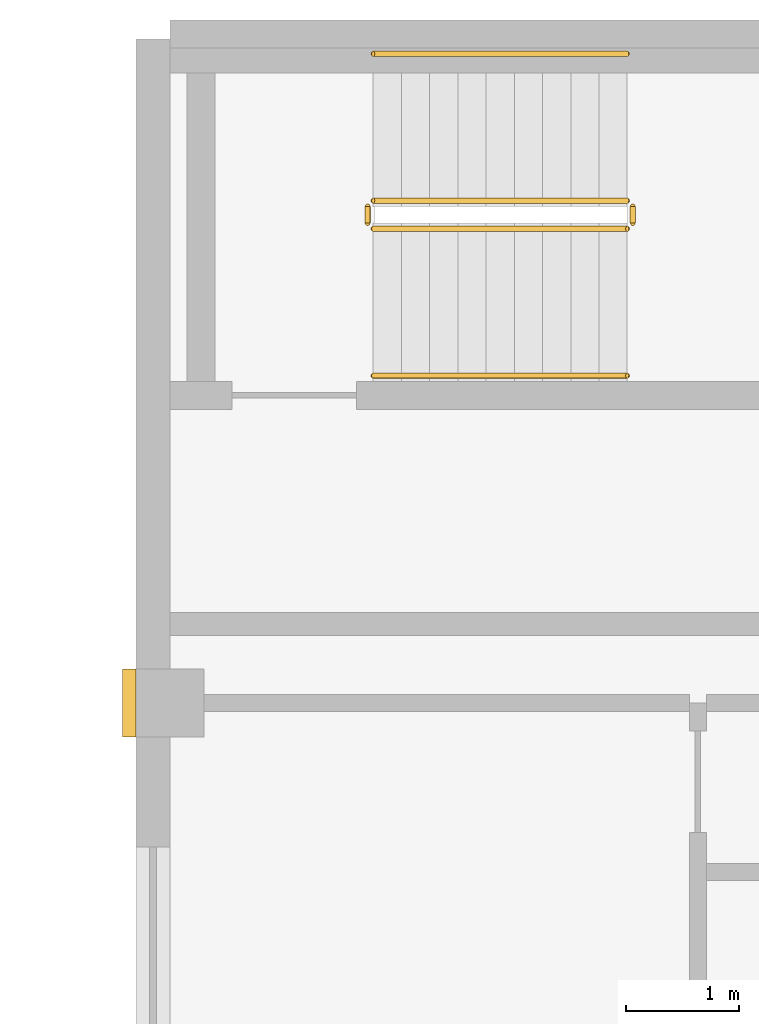
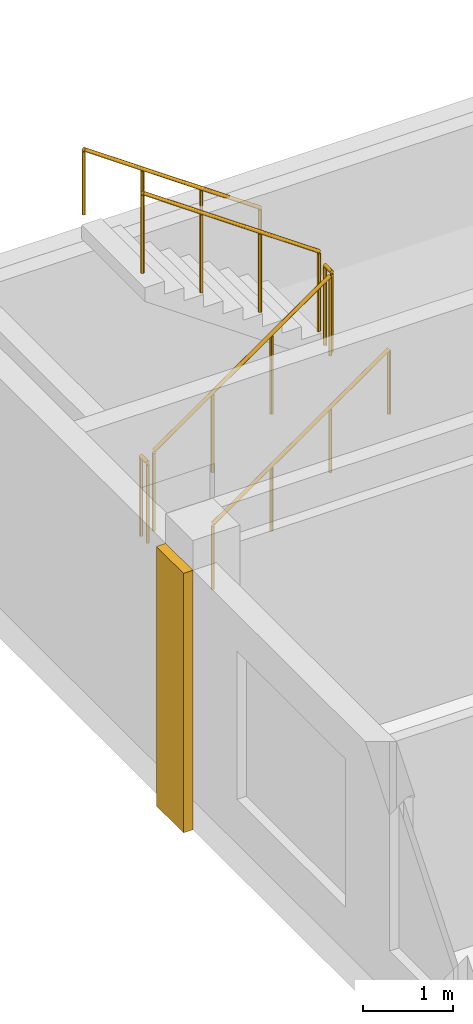
# One storey, part 10 of 10: 6 railings, 1 covering.
"""IFC4 building model written with IfcOpenShell, lengths in metres."""

import ifcopenshell
import ifcopenshell.guid

model = None  # the IFC model being written
_history = None  # IfcOwnerHistory: only IFC2X3 demands one
_inside = {}  # id of a spatial element -> (the spatial element, [elements in it])
_under = {}  # id of a project, library or spatial element -> (it, [spatial elements below it])
_declared = {}  # id of a project -> (the project, [libraries it declares])
_typed = {}  # id of a type object -> (the type object, [elements of that type])
_made_of = {}  # id of a material, layer set ... -> (it, [elements and type objects made of it])


def new_model(schema):
    """Start an empty IFC model of exactly this schema.

    Asked for "IFC4X3", IfcOpenShell would pick the latest addendum, in which some entities
    have other attributes; the version numbers below select the first issue.
    IFC2X3 requires an IfcOwnerHistory on every rooted entity: one is made here for all.
    """
    global model, _history
    if schema == "IFC4X3":
        model = ifcopenshell.file(schema_version=(4, 3, 0, 0))
    else:
        model = ifcopenshell.file(schema=schema)
    _inside.clear()
    _under.clear()
    _declared.clear()
    _typed.clear()
    _made_of.clear()
    _history = None
    if model.schema == "IFC2X3":
        org = make("IfcOrganization", Name="unknown")
        user = make(
            "IfcPersonAndOrganization",
            ThePerson=make("IfcPerson", FamilyName="unknown"),
            TheOrganization=org,
        )
        app = make(
            "IfcApplication",
            ApplicationDeveloper=org,
            Version="unknown",
            ApplicationFullName="unknown",
            ApplicationIdentifier="unknown",
        )
        _history = make(
            "IfcOwnerHistory",
            OwningUser=user,
            OwningApplication=app,
            ChangeAction="ADDED",
            CreationDate=0,
        )
    return model


def make(cls, **values):
    """One entity of the class cls with the attributes given. An attribute that is None is left unset."""
    return model.create_entity(
        cls, **{name: value for name, value in values.items() if value is not None}
    )


def rooted(cls, **values):
    """An entity with a GlobalId (a new one), such as an element, a storey or a relation."""
    return make(cls, GlobalId=ifcopenshell.guid.new(), OwnerHistory=_history, **values)


def si_unit(unit_type, name, prefix=None):
    """IfcSIUnit, for example si_unit("LENGTHUNIT", "METRE", prefix="MILLI")."""
    return make("IfcSIUnit", UnitType=unit_type, Prefix=prefix, Name=name)


def assignment(units):
    """IfcUnitAssignment: the units of a project."""
    return None if units is None else make("IfcUnitAssignment", Units=units)


def point(xyz):
    """IfcCartesianPoint."""
    return None if xyz is None else make("IfcCartesianPoint", Coordinates=xyz)


def direction(xyz):
    """IfcDirection."""
    return None if xyz is None else make("IfcDirection", DirectionRatios=xyz)


def frame(location, z_axis=None, x_axis=None):
    """IfcAxis2Placement3D, a coordinate frame: its origin and axes. An axis left out is left unset."""
    return make(
        "IfcAxis2Placement3D",
        Location=point(location),
        Axis=direction(z_axis),
        RefDirection=direction(x_axis),
    )


def frame_2d(location, x_axis=None):
    """IfcAxis2Placement2D, a coordinate frame in the plane: its origin and x axis."""
    return make(
        "IfcAxis2Placement2D", Location=point(location), RefDirection=direction(x_axis)
    )


def origin():
    """The frame at (0, 0, 0) with its axes left unset."""
    return frame((0.0, 0.0, 0.0))


def origin_2d():
    """The frame at (0, 0) in the plane with its x axis left unset."""
    return frame_2d((0.0, 0.0))


def place(relative_to, where):
    """IfcLocalPlacement: puts the frame where relative to a parent placement (None: the world)."""
    return make(
        "IfcLocalPlacement", PlacementRelTo=relative_to, RelativePlacement=where
    )


def context(
    kind, dimensions, precision=None, world=None, true_north=None, identifier=None
):
    """IfcGeometricRepresentationContext, for example the 3D "Model" context."""
    return make(
        "IfcGeometricRepresentationContext",
        ContextIdentifier=identifier,
        ContextType=kind,
        CoordinateSpaceDimension=dimensions,
        Precision=precision,
        WorldCoordinateSystem=world,
        TrueNorth=true_north,
    )


def subcontext(parent, identifier, kind, view, scale=None):
    """IfcGeometricRepresentationSubContext, for example "Body" below "Model"."""
    return make(
        "IfcGeometricRepresentationSubContext",
        ContextIdentifier=identifier,
        ContextType=kind,
        ParentContext=parent,
        TargetScale=scale,
        TargetView=view,
    )


def project(units=None, contexts=None):
    """IfcProject with its units and contexts."""
    return rooted(
        "IfcProject",
        Name="project",
        RepresentationContexts=contexts,
        UnitsInContext=assignment(units),
    )


def spatial(cls, under=None, at=None, **own):
    """A site, building, storey or space (cls), placed at a placement, below another one or the project."""
    s = rooted(cls, ObjectPlacement=at, **own)
    if under is not None:
        _under.setdefault(under.id(), (under, []))[1].append(s)
    return s


def profile(cls, at=None, kind="AREA", **sizes):
    """A parametric profile (cls). Its sizes go by their IFC names, for example OverallWidth=200.0."""
    return make(cls, ProfileType=kind, Position=at, **sizes)


def rectangle(**sizes):
    """IfcRectangleProfileDef."""
    return profile("IfcRectangleProfileDef", **sizes)


def circle(**sizes):
    """IfcCircleProfileDef."""
    return profile("IfcCircleProfileDef", **sizes)


def extrude(swept, where, along, depth):
    """IfcExtrudedAreaSolid: the profile swept, set in the frame where, extruded along a direction by depth."""
    return make(
        "IfcExtrudedAreaSolid",
        SweptArea=swept,
        Position=where,
        ExtrudedDirection=direction(along),
        Depth=depth,
    )


def shape(context_of_items, identifier, shape_type, items):
    """IfcShapeRepresentation: the items that make up one representation, for example the "Body"."""
    return make(
        "IfcShapeRepresentation",
        ContextOfItems=context_of_items,
        RepresentationIdentifier=identifier,
        RepresentationType=shape_type,
        Items=items,
    )


def source(mapping_origin, context_of_items, identifier, shape_type, items):
    """IfcRepresentationMap: a shape defined once, which mapped items show again and again."""
    return make(
        "IfcRepresentationMap",
        MappingOrigin=mapping_origin,
        MappedRepresentation=shape(context_of_items, identifier, shape_type, items),
    )


def transform(
    local_origin,
    x_axis=None,
    y_axis=None,
    z_axis=None,
    scale=None,
    scale2=None,
    scale3=None,
    uniform=True,
):
    """IfcCartesianTransformationOperator3D, or its non-uniform kind. x_axis, y_axis, z_axis: its Axis1, 2, 3."""
    if uniform:
        return make(
            "IfcCartesianTransformationOperator3D",
            Axis1=direction(x_axis),
            Axis2=direction(y_axis),
            LocalOrigin=point(local_origin),
            Scale=scale,
            Axis3=direction(z_axis),
        )
    return make(
        "IfcCartesianTransformationOperator3DnonUniform",
        Axis1=direction(x_axis),
        Axis2=direction(y_axis),
        LocalOrigin=point(local_origin),
        Scale=scale,
        Axis3=direction(z_axis),
        Scale2=scale2,
        Scale3=scale3,
    )


def mapped(mapping_source, mapping_target):
    """IfcMappedItem: shows the shape of a source again, moved by a transform."""
    return make(
        "IfcMappedItem", MappingSource=mapping_source, MappingTarget=mapping_target
    )


def material(Name=None, Category=None):
    """IfcMaterial."""
    return make("IfcMaterial", Name=Name, Category=Category)


def made_of(thing, what):
    """Note that an element or type object is made of a material, layer set ...; save() writes the relation."""
    if what is not None:
        _made_of.setdefault(what.id(), (what, []))[1].append(thing)
    return thing


def type_object(cls, material=None, **own):
    """A type object (cls), such as IfcWallType, which elements share."""
    return made_of(rooted(cls, **own), material)


def element(
    cls,
    number,
    at=None,
    inside=None,
    cuts=None,
    type_object=None,
    material=None,
    context=None,
    identifier="Body",
    shape_type=None,
    held_by="IfcProductDefinitionShape",
    body=None,
    shapes=None,
    **own,
):
    """One element of the class cls, such as IfcWall. Its Tag is "e" and its number.

    at: its placement. inside: the storey or other place that contains it. cuts: it is an
    opening in that element (IfcRelVoidsElement). A single representation is given by context,
    identifier, shape_type and body (its items); several are given by shapes. held_by: the class
    of the entity that holds the representations. save() writes the other relations.
    """
    e = rooted(cls, Tag="e%d" % number, ObjectPlacement=at, **own)
    if body is not None:
        shapes = [shape(context, identifier, shape_type, body)]
    if shapes is not None:
        e.Representation = make(held_by, Representations=shapes)
    if inside is not None:
        _inside.setdefault(inside.id(), (inside, []))[1].append(e)
    if cuts is not None:
        rooted(
            "IfcRelVoidsElement", RelatingBuildingElement=cuts, RelatedOpeningElement=e
        )
    if type_object is not None:
        _typed.setdefault(type_object.id(), (type_object, []))[1].append(e)
    return made_of(e, material)


def aggregate(whole, parts):
    """IfcRelAggregates: a whole, such as a stair, and the parts it consists of."""
    return rooted("IfcRelAggregates", RelatingObject=whole, RelatedObjects=parts)


def save(model, path):
    """Write the relations noted so far, then the file.

    IfcRelAggregates (storeys below a building ...), IfcRelContainedInSpatialStructure (elements
    in a storey), IfcRelDefinesByType, IfcRelAssociatesMaterial and IfcRelDeclares: one each for
    every whole, place, type object, material and project.
    """
    for whole, parts in _under.values():
        aggregate(whole, parts)
    for where, things in _inside.values():
        rooted(
            "IfcRelContainedInSpatialStructure",
            RelatedElements=things,
            RelatingStructure=where,
        )
    for kind, things in _typed.values():
        rooted("IfcRelDefinesByType", RelatedObjects=things, RelatingType=kind)
    for what, things in _made_of.values():
        rooted("IfcRelAssociatesMaterial", RelatedObjects=things, RelatingMaterial=what)
    for by, libraries in _declared.values():
        rooted("IfcRelDeclares", RelatingContext=by, RelatedDefinitions=libraries)
    model.write(path)


model = new_model("IFC4")

# Units and contexts
model_context = context("Model", 3, precision=1e-05, world=origin(), true_north=direction((0.0, 1.0)))
body_context = subcontext(model_context, "Body", "Model", "MODEL_VIEW")
ifc_project = project(units=[si_unit("LENGTHUNIT", "METRE"), si_unit("AREAUNIT", "SQUARE_METRE"), si_unit("VOLUMEUNIT", "CUBIC_METRE"), si_unit("PLANEANGLEUNIT", "RADIAN"), si_unit("MASSUNIT", "GRAM", prefix="KILO")], contexts=[model_context])

# Site, building, storey
site_placement = place(None, origin())
site = spatial("IfcSite", under=ifc_project, at=site_placement, CompositionType="ELEMENT")
building_placement = place(site_placement, origin())
building = spatial("IfcBuilding", under=site, at=building_placement, Name="Aurelian Terraces", CompositionType="ELEMENT")
storey_placement = place(building_placement, frame((0.0, 0.0, 358.0)))
storey = spatial("IfcBuildingStorey", under=building, at=storey_placement, Name="L85", CompositionType="ELEMENT", Elevation=358.0)

# Covering
ifc_material_1 = material(Name="Terracotta rainscreen cladding relief", Category="masonry")
covering_type = type_object("IfcCoveringType", Name="BAGUETTE-TC", PredefinedType="CLADDING", material=ifc_material_1)
shared_shape_1 = source(origin(), body_context, "Body", "SweptSolid", [
    extrude(rectangle(XDim=0.12, YDim=0.6, at=origin_2d()), origin(), (0.0, 0.0, 1.0), 3.5),
])
covering_placement = place(storey_placement, frame((10.44, 37.8, -0.4), z_axis=(0.0, 0.0, 1.0), x_axis=(1.0, 0.0, 0.0)))
element("IfcCovering", 1, at=covering_placement, inside=storey, type_object=covering_type, Name="BAGUETTE pier L85 7", PredefinedType="CLADDING", context=body_context, shape_type="MappedRepresentation", body=[
    mapped(shared_shape_1, transform((0.0, 0.0, 0.0), scale=1.0)),
])

# Railings
ifc_material_2 = material(Name="Stainless steel", Category="steel")
railing_type_1 = type_object("IfcRailingType", Name="Stair guard 1100", PredefinedType="GUARDRAIL", material=ifc_material_2)
shared_shape_2 = source(origin(), body_context, "Body", "SweptSolid", [
    extrude(circle(Radius=0.024, at=origin_2d()), frame((0.0, 0.0, 1.076), z_axis=(0.0, 1.0, 0.0), x_axis=(-1.0, 0.0, 0.0)), (0.0, 0.0, 1.0), 0.15),
    extrude(circle(Radius=0.021, at=origin_2d()), origin(), (0.0, 0.0, 1.0), 1.052),
    extrude(circle(Radius=0.021, at=origin_2d()), frame((0.0, 0.15, 0.0)), (0.0, 0.0, 1.0), 1.052),
])
for number, where, name in (
    (2, (14.9, 42.05, 1.75), "L85 S3U stair guard 2"),
    (3, (12.55, 42.05, 0.0), "L85 S3U stair guard 4"),
):
    element("IfcRailing", number, at=place(storey_placement, frame(where)), inside=storey, type_object=railing_type_1, Name=name, PredefinedType="GUARDRAIL", context=body_context, shape_type="MappedRepresentation", body=[
        mapped(shared_shape_2, transform((0.0, 0.0, 0.0), scale=1.0)),
    ])
shared_shape_3 = source(origin(), body_context, "Body", "SweptSolid", [
    extrude(circle(Radius=0.024, at=origin_2d()), frame((0.0, 0.0, 1.076), z_axis=(0.819231920519, 0.0, 0.573462344363), x_axis=(0.0, 1.0, 0.0)), (0.0, 0.0, 1.0), 2.7465),
    extrude(circle(Radius=0.021, at=origin_2d()), origin(), (0.0, 0.0, 1.0), 1.052),
    extrude(circle(Radius=0.021, at=origin_2d()), frame((0.75, 0.0, 0.525)), (0.0, 0.0, 1.0), 1.052),
    extrude(circle(Radius=0.021, at=origin_2d()), frame((1.5, 0.0, 1.05)), (0.0, 0.0, 1.0), 1.052),
    extrude(circle(Radius=0.021, at=origin_2d()), frame((2.25, 0.0, 1.575)), (0.0, 0.0, 1.0), 1.052),
])
railing_1_placement = place(storey_placement, frame((12.6, 42.0, 0.175)))
element("IfcRailing", 4, at=railing_1_placement, inside=storey, type_object=railing_type_1, Name="L85 S3U stair guard 1", PredefinedType="GUARDRAIL", context=body_context, shape_type="MappedRepresentation", body=[
    mapped(shared_shape_3, transform((0.0, 0.0, 0.0), scale=1.0)),
])
shared_shape_4 = source(origin(), body_context, "Body", "SweptSolid", [
    extrude(circle(Radius=0.024, at=origin_2d()), frame((0.0, 0.0, 1.076), z_axis=(-0.819231920519, 0.0, 0.573462344363), x_axis=(0.0, -1.0, 0.0)), (0.0, 0.0, 1.0), 2.7465),
    extrude(circle(Radius=0.021, at=origin_2d()), origin(), (0.0, 0.0, 1.0), 1.052),
    extrude(circle(Radius=0.021, at=origin_2d()), frame((-0.75, 0.0, 0.525)), (0.0, 0.0, 1.0), 1.052),
    extrude(circle(Radius=0.021, at=origin_2d()), frame((-1.5, 0.0, 1.05)), (0.0, 0.0, 1.0), 1.052),
    extrude(circle(Radius=0.021, at=origin_2d()), frame((-2.25, 0.0, 1.575)), (0.0, 0.0, 1.0), 1.052),
])
railing_2_placement = place(storey_placement, frame((14.85, 42.25, 1.925)))
element("IfcRailing", 5, at=railing_2_placement, inside=storey, type_object=railing_type_1, Name="L85 S3U stair guard 3", PredefinedType="GUARDRAIL", context=body_context, shape_type="MappedRepresentation", body=[
    mapped(shared_shape_4, transform((0.0, 0.0, 0.0), scale=1.0)),
])
railing_type_2 = type_object("IfcRailingType", Name="Stair handrail", PredefinedType="HANDRAIL", material=ifc_material_2)
shared_shape_5 = source(origin(), body_context, "Body", "SweptSolid", [
    extrude(circle(Radius=0.024, at=origin_2d()), frame((0.0, 0.0, 0.876), z_axis=(0.819231920519, 0.0, 0.573462344363), x_axis=(0.0, 1.0, 0.0)), (0.0, 0.0, 1.0), 2.7465),
    extrude(circle(Radius=0.021, at=origin_2d()), origin(), (0.0, 0.0, 1.0), 0.852),
    extrude(circle(Radius=0.021, at=origin_2d()), frame((0.75, 0.0, 0.525)), (0.0, 0.0, 1.0), 0.852),
    extrude(circle(Radius=0.021, at=origin_2d()), frame((1.5, 0.0, 1.05)), (0.0, 0.0, 1.0), 0.852),
    extrude(circle(Radius=0.021, at=origin_2d()), frame((2.25, 0.0, 1.575)), (0.0, 0.0, 1.0), 0.852),
])
railing_3_placement = place(storey_placement, frame((12.6, 40.7, 0.175)))
element("IfcRailing", 6, at=railing_3_placement, inside=storey, type_object=railing_type_2, Name="L85 S3U stair handrail 1", PredefinedType="HANDRAIL", context=body_context, shape_type="MappedRepresentation", body=[
    mapped(shared_shape_5, transform((0.0, 0.0, 0.0), scale=1.0)),
])
shared_shape_6 = source(origin(), body_context, "Body", "SweptSolid", [
    extrude(circle(Radius=0.024, at=origin_2d()), frame((0.0, 0.0, 0.876), z_axis=(-0.819231920519, 0.0, 0.573462344363), x_axis=(0.0, -1.0, 0.0)), (0.0, 0.0, 1.0), 2.7465),
    extrude(circle(Radius=0.021, at=origin_2d()), origin(), (0.0, 0.0, 1.0), 0.852),
    extrude(circle(Radius=0.021, at=origin_2d()), frame((-0.75, 0.0, 0.525)), (0.0, 0.0, 1.0), 0.852),
    extrude(circle(Radius=0.021, at=origin_2d()), frame((-1.5, 0.0, 1.05)), (0.0, 0.0, 1.0), 0.852),
    extrude(circle(Radius=0.021, at=origin_2d()), frame((-2.25, 0.0, 1.575)), (0.0, 0.0, 1.0), 0.852),
])
railing_4_placement = place(storey_placement, frame((14.85, 43.55, 1.925)))
element("IfcRailing", 7, at=railing_4_placement, inside=storey, type_object=railing_type_2, Name="L85 S3U stair handrail 2", PredefinedType="HANDRAIL", context=body_context, shape_type="MappedRepresentation", body=[
    mapped(shared_shape_6, transform((0.0, 0.0, 0.0), scale=1.0)),
])

save(model, "model.ifc")
